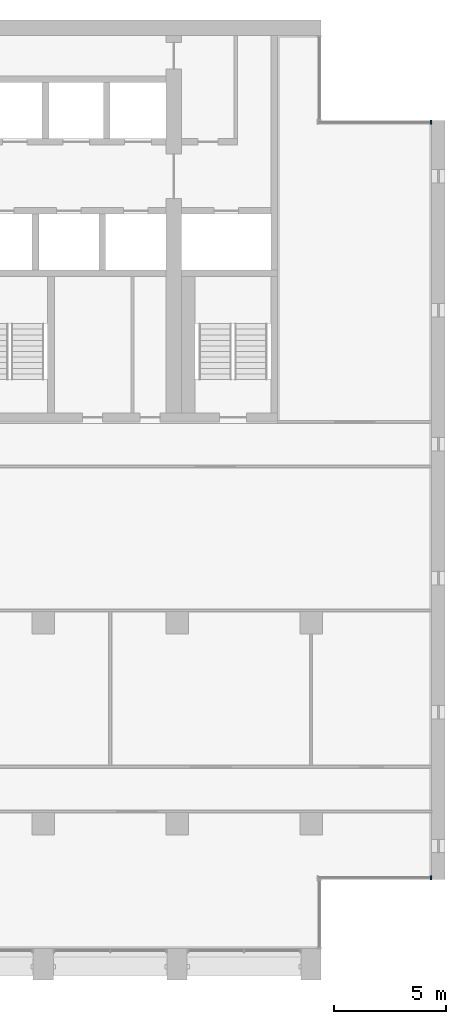
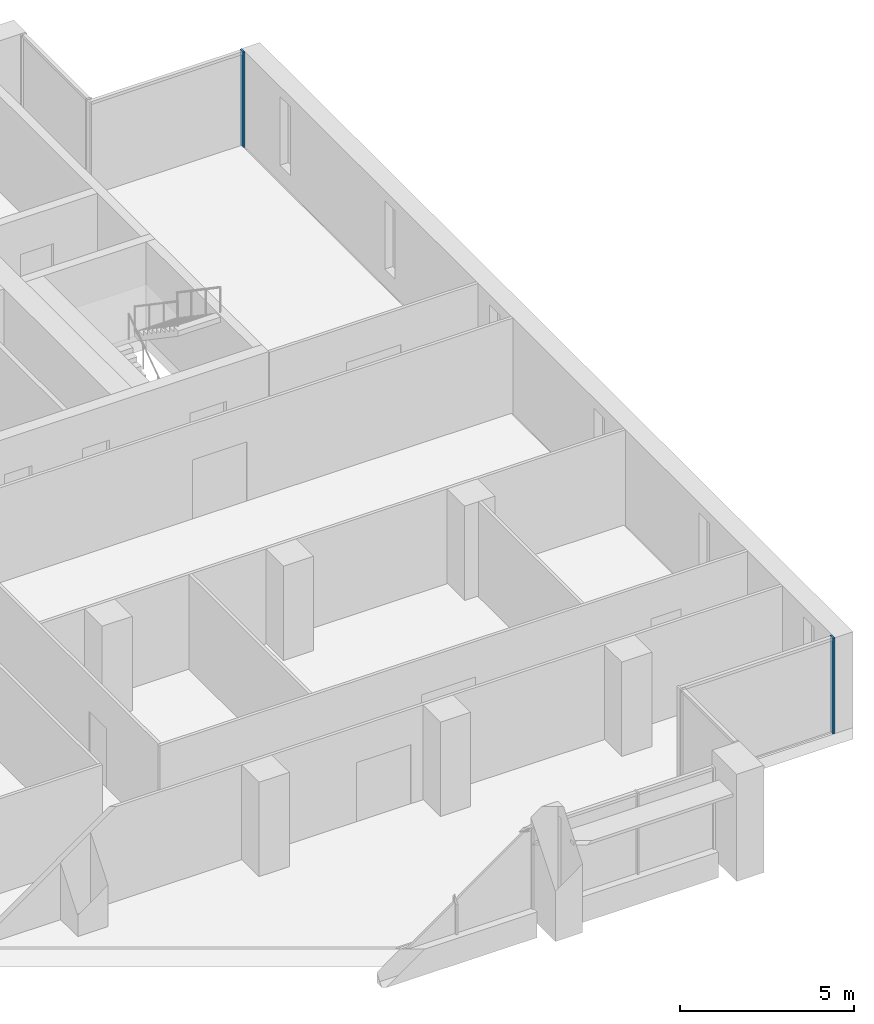
# One storey, part 6 of 17: 2 members, 2 elements without a shape of their own.
"""IFC4 building model written with IfcOpenShell, lengths in metres."""

from ifc_helpers import new_model, si_unit, direction, frame, origin, origin_2d, place, context, subcontext, project, spatial, rectangle, extrude, material, material_profile, profile_set, type_object, element, aggregate, save


model = new_model("IFC4")

# Units and contexts
model_context = context("Model", 3, precision=1e-05, world=origin(), true_north=direction((0.0, 1.0)))
body_context = subcontext(model_context, "Body", "Model", "MODEL_VIEW")
ifc_project = project(units=[si_unit("LENGTHUNIT", "METRE"), si_unit("AREAUNIT", "SQUARE_METRE"), si_unit("VOLUMEUNIT", "CUBIC_METRE"), si_unit("PLANEANGLEUNIT", "RADIAN"), si_unit("MASSUNIT", "GRAM", prefix="KILO")], contexts=[model_context])

# Site, building, storey
site_placement = place(None, origin())
site = spatial("IfcSite", under=ifc_project, at=site_placement, CompositionType="ELEMENT")
building_placement = place(site_placement, origin())
building = spatial("IfcBuilding", under=site, at=building_placement, Name="Calvaro Tower", CompositionType="ELEMENT")
storey_placement = place(building_placement, frame((0.0, 0.0, 219.25)))
storey = spatial("IfcBuildingStorey", under=building, at=storey_placement, Name="L55", CompositionType="ELEMENT", Elevation=219.25)

# Curtain wall, member
ifc_material_1 = material(Name="Anodised aluminium", Category="aluminium")
curtain_wall_type = type_object("IfcCurtainWallType", Name="Office curtain wall, upper zone", PredefinedType="NOTDEFINED", material=ifc_material_1)
curtain_wall_1_placement = place(storey_placement, origin())
curtain_wall_1 = element("IfcCurtainWall", 1, at=curtain_wall_1_placement, inside=storey, type_object=curtain_wall_type, Name="CW3 corner curtain wall", PredefinedType="NOTDEFINED")
ifc_material_2 = material(Name="Anodised aluminium", Category="aluminium")
ifc_material_profile = material_profile(ifc_material_2, rectangle(XDim=0.179931640625, YDim=0.06005859375, at=origin_2d()), Name="Mullion S3 60 x 180")
ifc_profile_set = profile_set([ifc_material_profile], Name="Anodised aluminium")
member_type = type_object("IfcMemberType", Name="Mullion S3 60 x 180", PredefinedType="MULLION", material=ifc_profile_set)
member_1_placement = place(storey_placement, frame((71.3701171875, 7.590087890625, 0.0), z_axis=(0.0, 0.0, 1.0), x_axis=(0.0, 1.0, 0.0)))
member_1 = element("IfcMember", 2, at=member_1_placement, type_object=member_type, Name="CW3 mullion 2", PredefinedType="MULLION", context=body_context, shape_type="SweptSolid", body=[
    extrude(rectangle(XDim=0.179931640625, YDim=0.06005859375, at=origin_2d()), origin(), (0.0, 0.0, 1.0), 3.35009765625),
])
aggregate(curtain_wall_1, [member_1])

curtain_wall_2_placement = place(storey_placement, origin())
curtain_wall_2 = element("IfcCurtainWall", 3, at=curtain_wall_2_placement, inside=storey, type_object=curtain_wall_type, Name="CW3 corner curtain wall", PredefinedType="NOTDEFINED")
member_2_placement = place(storey_placement, frame((71.3701171875, 41.409912109375, 0.0), z_axis=(0.0, 0.0, 1.0), x_axis=(0.0, 1.0, 0.0)))
member_2 = element("IfcMember", 4, at=member_2_placement, type_object=member_type, Name="CW3 mullion 2", PredefinedType="MULLION", context=body_context, shape_type="SweptSolid", body=[
    extrude(rectangle(XDim=0.179931640625, YDim=0.06005859375, at=origin_2d()), origin(), (0.0, 0.0, 1.0), 3.35009765625),
])
aggregate(curtain_wall_2, [member_2])

save(model, "model.ifc")
